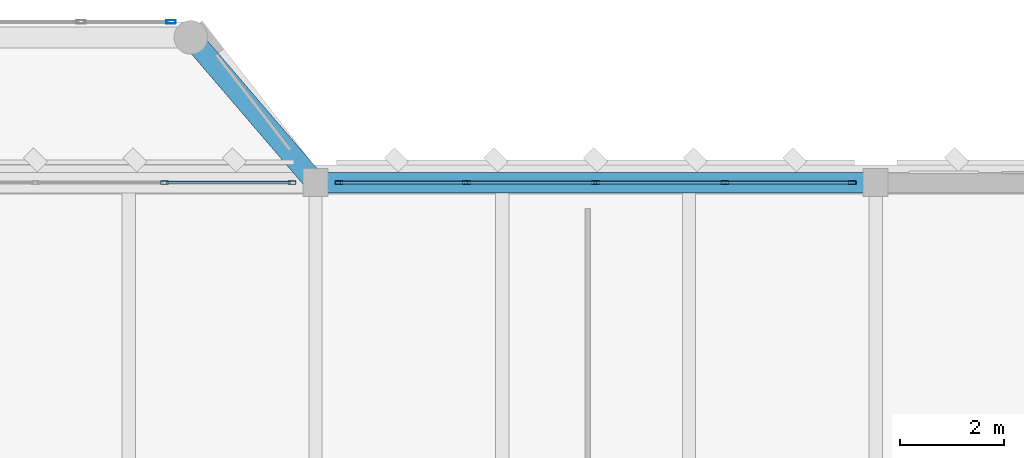
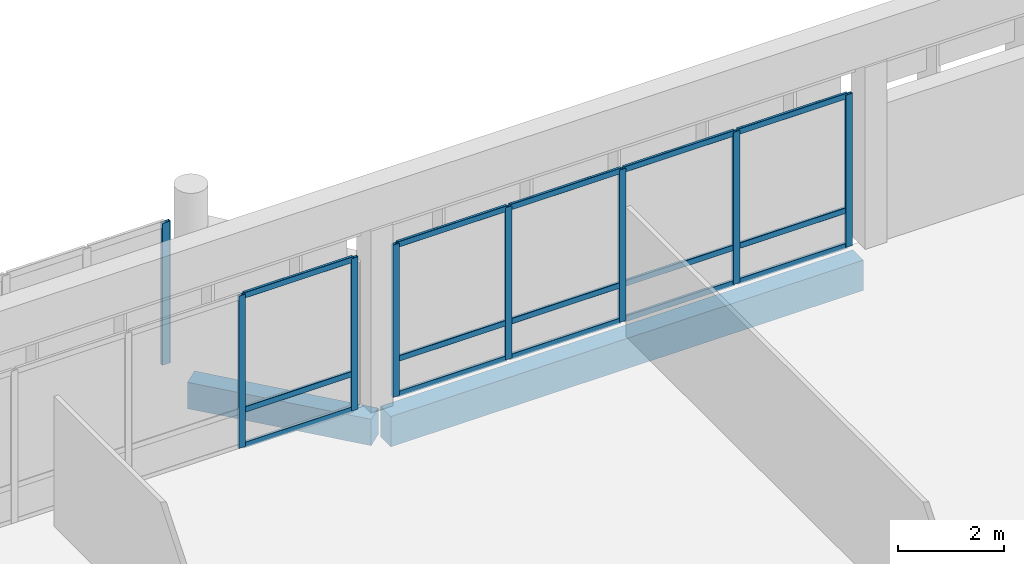
# One storey, part 17 of 33: 23 members, 2 beams, 3 elements without a shape of their own.
"""IFC4 building model written with IfcOpenShell, lengths in metres."""

from ifc_helpers import new_model, si_unit, direction, frame, origin, origin_2d, place, context, subcontext, project, spatial, rectangle, hollow_rectangle, extrude, material, material_profile, profile_set, type_object, element, aggregate, save


model = new_model("IFC4")

# Units and contexts
model_context = context("Model", 3, precision=1e-05, world=origin(), true_north=direction((0.0, 1.0)))
body_context = subcontext(model_context, "Body", "Model", "MODEL_VIEW")
ifc_project = project(units=[si_unit("LENGTHUNIT", "METRE"), si_unit("AREAUNIT", "SQUARE_METRE"), si_unit("VOLUMEUNIT", "CUBIC_METRE"), si_unit("PLANEANGLEUNIT", "RADIAN"), si_unit("MASSUNIT", "GRAM", prefix="KILO")], contexts=[model_context])

# Site, building, storey
site_placement = place(None, origin())
site = spatial("IfcSite", under=ifc_project, at=site_placement, CompositionType="ELEMENT")
building_placement = place(site_placement, origin())
building = spatial("IfcBuilding", under=site, at=building_placement, Name="Lusvemor Sports Hall", CompositionType="ELEMENT")
storey_placement = place(building_placement, frame((0.0, 0.0, 19.199951171875)))
storey = spatial("IfcBuildingStorey", under=building, at=storey_placement, Name="L04", CompositionType="ELEMENT", Elevation=19.199951171875)

# Curtain wall, member
ifc_material_1 = material(Name="Thermally broken bronze-anodized aluminium", Category="aluminium")
curtain_wall_type_1 = type_object("IfcCurtainWallType", Name="CW_FOYER_A", PredefinedType="NOTDEFINED", material=ifc_material_1)
curtain_wall_1_placement = place(storey_placement, origin())
curtain_wall_1 = element("IfcCurtainWall", 1, at=curtain_wall_1_placement, inside=storey, type_object=curtain_wall_type_1, Name="Curtain Wall CW-BOW-N1-L04-M", PredefinedType="NOTDEFINED")
ifc_material_2 = material(Name="Thermally broken bronze-anodized aluminium", Category="aluminium")
ifc_material_profile_1 = material_profile(ifc_material_2, hollow_rectangle(XDim=0.070068359375, YDim=0.179931640625, WallThickness=0.0048828125, InnerFilletRadius=0.0048828125, OuterFilletRadius=0.010009765625, at=origin_2d()), Name="CWMUL180x70x5")
ifc_profile_set_1 = profile_set([ifc_material_profile_1], Name="Thermally broken bronze-anodized aluminium")
member_type_1 = type_object("IfcMemberType", Name="CW_MUL_A", PredefinedType="MULLION", material=ifc_profile_set_1)
member_1_placement = place(storey_placement, frame((29.614990234375, 118.300048828125, 0.0), z_axis=(0.0, 0.0, 1.0), x_axis=(0.0, 1.0, 0.0)))
member_1 = element("IfcMember", 2, at=member_1_placement, type_object=member_type_1, Name="CW01 mullion 4", PredefinedType="MULLION", context=body_context, shape_type="SweptSolid", body=[
    extrude(hollow_rectangle(XDim=0.070068359375, YDim=0.179931640625, WallThickness=0.0048828125, InnerFilletRadius=0.0048828125, OuterFilletRadius=0.010009765625, at=origin_2d()), origin(), (0.0, 0.0, 1.0), 3.280029296875),
])
aggregate(curtain_wall_1, [member_1])

# Curtain wall, members
ifc_material_3 = material(Name="Thermally broken bronze-anodized aluminium", Category="aluminium")
curtain_wall_type_2 = type_object("IfcCurtainWallType", Name="CW_WING_B", PredefinedType="NOTDEFINED", material=ifc_material_3)
curtain_wall_2_placement = place(storey_placement, origin())
curtain_wall_2 = element("IfcCurtainWall", 3, at=curtain_wall_2_placement, inside=storey, type_object=curtain_wall_type_2, Name="Curtain Wall CW-L04-N-1-2", PredefinedType="NOTDEFINED")
ifc_material_4 = material(Name="Thermally broken bronze-anodized aluminium", Category="aluminium")
ifc_material_profile_2 = material_profile(ifc_material_4, hollow_rectangle(XDim=0.06494140625, YDim=0.14990234375, WallThickness=0.00390625, InnerFilletRadius=0.00390625, OuterFilletRadius=0.008056640625, at=origin_2d()), Name="CWMUL150x65x4")
ifc_profile_set_2 = profile_set([ifc_material_profile_2], Name="Thermally broken bronze-anodized aluminium")
member_type_2 = type_object("IfcMemberType", Name="CW_MUL_B", PredefinedType="MULLION", material=ifc_profile_set_2)
member_2_placement = place(storey_placement, frame((29.489990234375, 115.199951171875, 0.0), z_axis=(0.0, 0.0, 1.0), x_axis=(0.0, 1.0, 0.0)))
member_2 = element("IfcMember", 4, at=member_2_placement, type_object=member_type_2, Name="CW02 mullion 4", PredefinedType="MULLION", context=body_context, shape_type="SweptSolid", body=[
    extrude(hollow_rectangle(XDim=0.06494140625, YDim=0.14990234375, WallThickness=0.00390625, InnerFilletRadius=0.00390625, OuterFilletRadius=0.008056640625, at=origin_2d()), origin(), (0.0, 0.0, 1.0), 3.52001953125),
])
member_3_placement = place(storey_placement, frame((31.947509765625, 115.199951171875, 0.0), z_axis=(0.0, 0.0, 1.0), x_axis=(0.0, 1.0, 0.0)))
member_3 = element("IfcMember", 5, at=member_3_placement, type_object=member_type_2, Name="CW02 mullion 5", PredefinedType="MULLION", context=body_context, shape_type="SweptSolid", body=[
    extrude(hollow_rectangle(XDim=0.06494140625, YDim=0.14990234375, WallThickness=0.00390625, InnerFilletRadius=0.00390625, OuterFilletRadius=0.008056640625, at=origin_2d()), origin(), (0.0, 0.0, 1.0), 3.52001953125),
])

curtain_wall_3_placement = place(storey_placement, origin())
curtain_wall_3 = element("IfcCurtainWall", 6, at=curtain_wall_3_placement, inside=storey, type_object=curtain_wall_type_2, Name="Curtain Wall CW-L04-N-1-3", PredefinedType="NOTDEFINED")
member_4_placement = place(storey_placement, frame((32.8525390625, 115.199951171875, 0.0), z_axis=(0.0, 0.0, 1.0), x_axis=(0.0, 1.0, 0.0)))
member_4 = element("IfcMember", 7, at=member_4_placement, type_object=member_type_2, Name="CW02 mullion 1", PredefinedType="MULLION", context=body_context, shape_type="SweptSolid", body=[
    extrude(hollow_rectangle(XDim=0.06494140625, YDim=0.14990234375, WallThickness=0.00390625, InnerFilletRadius=0.00390625, OuterFilletRadius=0.008056640625, at=origin_2d()), origin(), (0.0, 0.0, 1.0), 3.52001953125),
])
member_5_placement = place(storey_placement, frame((35.31005859375, 115.199951171875, 0.0), z_axis=(0.0, 0.0, 1.0), x_axis=(0.0, 1.0, 0.0)))
member_5 = element("IfcMember", 8, at=member_5_placement, type_object=member_type_2, Name="CW02 mullion 2", PredefinedType="MULLION", context=body_context, shape_type="SweptSolid", body=[
    extrude(hollow_rectangle(XDim=0.06494140625, YDim=0.14990234375, WallThickness=0.00390625, InnerFilletRadius=0.00390625, OuterFilletRadius=0.008056640625, at=origin_2d()), origin(), (0.0, 0.0, 1.0), 3.52001953125),
])
member_6_placement = place(storey_placement, frame((37.800048828125, 115.199951171875, 0.0), z_axis=(0.0, 0.0, 1.0), x_axis=(0.0, 1.0, 0.0)))
member_6 = element("IfcMember", 9, at=member_6_placement, type_object=member_type_2, Name="CW02 mullion 3", PredefinedType="MULLION", context=body_context, shape_type="SweptSolid", body=[
    extrude(hollow_rectangle(XDim=0.06494140625, YDim=0.14990234375, WallThickness=0.00390625, InnerFilletRadius=0.00390625, OuterFilletRadius=0.008056640625, at=origin_2d()), origin(), (0.0, 0.0, 1.0), 3.52001953125),
])
member_7_placement = place(storey_placement, frame((40.2900390625, 115.199951171875, 0.0), z_axis=(0.0, 0.0, 1.0), x_axis=(0.0, 1.0, 0.0)))
member_7 = element("IfcMember", 10, at=member_7_placement, type_object=member_type_2, Name="CW02 mullion 4", PredefinedType="MULLION", context=body_context, shape_type="SweptSolid", body=[
    extrude(hollow_rectangle(XDim=0.06494140625, YDim=0.14990234375, WallThickness=0.00390625, InnerFilletRadius=0.00390625, OuterFilletRadius=0.008056640625, at=origin_2d()), origin(), (0.0, 0.0, 1.0), 3.52001953125),
])
member_8_placement = place(storey_placement, frame((42.74755859375, 115.199951171875, 0.0), z_axis=(0.0, 0.0, 1.0), x_axis=(0.0, 1.0, 0.0)))
member_8 = element("IfcMember", 11, at=member_8_placement, type_object=member_type_2, Name="CW02 mullion 5", PredefinedType="MULLION", context=body_context, shape_type="SweptSolid", body=[
    extrude(hollow_rectangle(XDim=0.06494140625, YDim=0.14990234375, WallThickness=0.00390625, InnerFilletRadius=0.00390625, OuterFilletRadius=0.008056640625, at=origin_2d()), origin(), (0.0, 0.0, 1.0), 3.52001953125),
])

# Member
ifc_material_5 = material(Name="Thermally broken bronze-anodized aluminium", Category="aluminium")
ifc_material_profile_3 = material_profile(ifc_material_5, hollow_rectangle(XDim=0.06005859375, YDim=0.135009765625, WallThickness=0.00390625, InnerFilletRadius=0.00390625, OuterFilletRadius=0.008056640625, at=origin_2d()), Name="CWTRN135x60x4")
ifc_profile_set_3 = profile_set([ifc_material_profile_3], Name="Thermally broken bronze-anodized aluminium")
member_type_3 = type_object("IfcMemberType", Name="CW_TRN_B", PredefinedType="USERDEFINED", material=ifc_profile_set_3)
member_9_placement = place(storey_placement, frame((29.5224609375, 115.199951171875, 0.030029296875), z_axis=(1.0, 0.0, 0.0), x_axis=(0.0, 1.0, 0.0)))
member_9 = element("IfcMember", 12, at=member_9_placement, type_object=member_type_3, Name="CW02 transom 4.1", ObjectType="TRANSOM", PredefinedType="USERDEFINED", context=body_context, shape_type="SweptSolid", body=[
    extrude(hollow_rectangle(XDim=0.06005859375, YDim=0.135009765625, WallThickness=0.00390625, InnerFilletRadius=0.00390625, OuterFilletRadius=0.008056640625, at=origin_2d()), origin(), (0.0, 0.0, 1.0), 2.392578125),
])

member_10_placement = place(storey_placement, frame((29.5224609375, 115.199951171875, 0.85009765625), z_axis=(1.0, 0.0, 0.0), x_axis=(0.0, 1.0, 0.0)))
member_10 = element("IfcMember", 13, at=member_10_placement, type_object=member_type_3, Name="CW02 transom 4.2", ObjectType="TRANSOM", PredefinedType="USERDEFINED", context=body_context, shape_type="SweptSolid", body=[
    extrude(hollow_rectangle(XDim=0.06005859375, YDim=0.135009765625, WallThickness=0.00390625, InnerFilletRadius=0.00390625, OuterFilletRadius=0.008056640625, at=origin_2d()), origin(), (0.0, 0.0, 1.0), 2.392578125),
])

member_11_placement = place(storey_placement, frame((29.5224609375, 115.199951171875, 3.489990234375), z_axis=(1.0, 0.0, 0.0), x_axis=(0.0, 1.0, 0.0)))
member_11 = element("IfcMember", 14, at=member_11_placement, type_object=member_type_3, Name="CW02 transom 4.3", ObjectType="TRANSOM", PredefinedType="USERDEFINED", context=body_context, shape_type="SweptSolid", body=[
    extrude(hollow_rectangle(XDim=0.06005859375, YDim=0.135009765625, WallThickness=0.00390625, InnerFilletRadius=0.00390625, OuterFilletRadius=0.008056640625, at=origin_2d()), origin(), (0.0, 0.0, 1.0), 2.392578125),
])

aggregate(curtain_wall_2, [member_2, member_3, member_9, member_10, member_11])

member_12_placement = place(storey_placement, frame((32.885009765625, 115.199951171875, 0.030029296875), z_axis=(1.0, 0.0, 0.0), x_axis=(0.0, 1.0, 0.0)))
member_12 = element("IfcMember", 15, at=member_12_placement, type_object=member_type_3, Name="CW02 transom 1.1", ObjectType="TRANSOM", PredefinedType="USERDEFINED", context=body_context, shape_type="SweptSolid", body=[
    extrude(hollow_rectangle(XDim=0.06005859375, YDim=0.135009765625, WallThickness=0.00390625, InnerFilletRadius=0.00390625, OuterFilletRadius=0.008056640625, at=origin_2d()), origin(), (0.0, 0.0, 1.0), 2.392578125),
])

member_13_placement = place(storey_placement, frame((32.885009765625, 115.199951171875, 0.85009765625), z_axis=(1.0, 0.0, 0.0), x_axis=(0.0, 1.0, 0.0)))
member_13 = element("IfcMember", 16, at=member_13_placement, type_object=member_type_3, Name="CW02 transom 1.2", ObjectType="TRANSOM", PredefinedType="USERDEFINED", context=body_context, shape_type="SweptSolid", body=[
    extrude(hollow_rectangle(XDim=0.06005859375, YDim=0.135009765625, WallThickness=0.00390625, InnerFilletRadius=0.00390625, OuterFilletRadius=0.008056640625, at=origin_2d()), origin(), (0.0, 0.0, 1.0), 2.392578125),
])

member_14_placement = place(storey_placement, frame((32.885009765625, 115.199951171875, 3.489990234375), z_axis=(1.0, 0.0, 0.0), x_axis=(0.0, 1.0, 0.0)))
member_14 = element("IfcMember", 17, at=member_14_placement, type_object=member_type_3, Name="CW02 transom 1.3", ObjectType="TRANSOM", PredefinedType="USERDEFINED", context=body_context, shape_type="SweptSolid", body=[
    extrude(hollow_rectangle(XDim=0.06005859375, YDim=0.135009765625, WallThickness=0.00390625, InnerFilletRadius=0.00390625, OuterFilletRadius=0.008056640625, at=origin_2d()), origin(), (0.0, 0.0, 1.0), 2.392578125),
])

member_15_placement = place(storey_placement, frame((35.342529296875, 115.199951171875, 0.030029296875), z_axis=(1.0, 0.0, 0.0), x_axis=(0.0, 1.0, 0.0)))
member_15 = element("IfcMember", 18, at=member_15_placement, type_object=member_type_3, Name="CW02 transom 2.1", ObjectType="TRANSOM", PredefinedType="USERDEFINED", context=body_context, shape_type="SweptSolid", body=[
    extrude(hollow_rectangle(XDim=0.06005859375, YDim=0.135009765625, WallThickness=0.00390625, InnerFilletRadius=0.00390625, OuterFilletRadius=0.008056640625, at=origin_2d()), origin(), (0.0, 0.0, 1.0), 2.425048828125),
])

member_16_placement = place(storey_placement, frame((35.342529296875, 115.199951171875, 0.85009765625), z_axis=(1.0, 0.0, 0.0), x_axis=(0.0, 1.0, 0.0)))
member_16 = element("IfcMember", 19, at=member_16_placement, type_object=member_type_3, Name="CW02 transom 2.2", ObjectType="TRANSOM", PredefinedType="USERDEFINED", context=body_context, shape_type="SweptSolid", body=[
    extrude(hollow_rectangle(XDim=0.06005859375, YDim=0.135009765625, WallThickness=0.00390625, InnerFilletRadius=0.00390625, OuterFilletRadius=0.008056640625, at=origin_2d()), origin(), (0.0, 0.0, 1.0), 2.425048828125),
])

member_17_placement = place(storey_placement, frame((35.342529296875, 115.199951171875, 3.489990234375), z_axis=(1.0, 0.0, 0.0), x_axis=(0.0, 1.0, 0.0)))
member_17 = element("IfcMember", 20, at=member_17_placement, type_object=member_type_3, Name="CW02 transom 2.3", ObjectType="TRANSOM", PredefinedType="USERDEFINED", context=body_context, shape_type="SweptSolid", body=[
    extrude(hollow_rectangle(XDim=0.06005859375, YDim=0.135009765625, WallThickness=0.00390625, InnerFilletRadius=0.00390625, OuterFilletRadius=0.008056640625, at=origin_2d()), origin(), (0.0, 0.0, 1.0), 2.425048828125),
])

member_18_placement = place(storey_placement, frame((37.83251953125, 115.199951171875, 0.030029296875), z_axis=(1.0, 0.0, 0.0), x_axis=(0.0, 1.0, 0.0)))
member_18 = element("IfcMember", 21, at=member_18_placement, type_object=member_type_3, Name="CW02 transom 3.1", ObjectType="TRANSOM", PredefinedType="USERDEFINED", context=body_context, shape_type="SweptSolid", body=[
    extrude(hollow_rectangle(XDim=0.06005859375, YDim=0.135009765625, WallThickness=0.00390625, InnerFilletRadius=0.00390625, OuterFilletRadius=0.008056640625, at=origin_2d()), origin(), (0.0, 0.0, 1.0), 2.425048828125),
])

member_19_placement = place(storey_placement, frame((37.83251953125, 115.199951171875, 0.85009765625), z_axis=(1.0, 0.0, 0.0), x_axis=(0.0, 1.0, 0.0)))
member_19 = element("IfcMember", 22, at=member_19_placement, type_object=member_type_3, Name="CW02 transom 3.2", ObjectType="TRANSOM", PredefinedType="USERDEFINED", context=body_context, shape_type="SweptSolid", body=[
    extrude(hollow_rectangle(XDim=0.06005859375, YDim=0.135009765625, WallThickness=0.00390625, InnerFilletRadius=0.00390625, OuterFilletRadius=0.008056640625, at=origin_2d()), origin(), (0.0, 0.0, 1.0), 2.425048828125),
])

member_20_placement = place(storey_placement, frame((37.83251953125, 115.199951171875, 3.489990234375), z_axis=(1.0, 0.0, 0.0), x_axis=(0.0, 1.0, 0.0)))
member_20 = element("IfcMember", 23, at=member_20_placement, type_object=member_type_3, Name="CW02 transom 3.3", ObjectType="TRANSOM", PredefinedType="USERDEFINED", context=body_context, shape_type="SweptSolid", body=[
    extrude(hollow_rectangle(XDim=0.06005859375, YDim=0.135009765625, WallThickness=0.00390625, InnerFilletRadius=0.00390625, OuterFilletRadius=0.008056640625, at=origin_2d()), origin(), (0.0, 0.0, 1.0), 2.425048828125),
])

member_21_placement = place(storey_placement, frame((40.322509765625, 115.199951171875, 0.030029296875), z_axis=(1.0, 0.0, 0.0), x_axis=(0.0, 1.0, 0.0)))
member_21 = element("IfcMember", 24, at=member_21_placement, type_object=member_type_3, Name="CW02 transom 4.1", ObjectType="TRANSOM", PredefinedType="USERDEFINED", context=body_context, shape_type="SweptSolid", body=[
    extrude(hollow_rectangle(XDim=0.06005859375, YDim=0.135009765625, WallThickness=0.00390625, InnerFilletRadius=0.00390625, OuterFilletRadius=0.008056640625, at=origin_2d()), origin(), (0.0, 0.0, 1.0), 2.392578125),
])

member_22_placement = place(storey_placement, frame((40.322509765625, 115.199951171875, 0.85009765625), z_axis=(1.0, 0.0, 0.0), x_axis=(0.0, 1.0, 0.0)))
member_22 = element("IfcMember", 25, at=member_22_placement, type_object=member_type_3, Name="CW02 transom 4.2", ObjectType="TRANSOM", PredefinedType="USERDEFINED", context=body_context, shape_type="SweptSolid", body=[
    extrude(hollow_rectangle(XDim=0.06005859375, YDim=0.135009765625, WallThickness=0.00390625, InnerFilletRadius=0.00390625, OuterFilletRadius=0.008056640625, at=origin_2d()), origin(), (0.0, 0.0, 1.0), 2.392578125),
])

member_23_placement = place(storey_placement, frame((40.322509765625, 115.199951171875, 3.489990234375), z_axis=(1.0, 0.0, 0.0), x_axis=(0.0, 1.0, 0.0)))
member_23 = element("IfcMember", 26, at=member_23_placement, type_object=member_type_3, Name="CW02 transom 4.3", ObjectType="TRANSOM", PredefinedType="USERDEFINED", context=body_context, shape_type="SweptSolid", body=[
    extrude(hollow_rectangle(XDim=0.06005859375, YDim=0.135009765625, WallThickness=0.00390625, InnerFilletRadius=0.00390625, OuterFilletRadius=0.008056640625, at=origin_2d()), origin(), (0.0, 0.0, 1.0), 2.392578125),
])

aggregate(curtain_wall_3, [member_4, member_5, member_6, member_7, member_8, member_12, member_13, member_14, member_15, member_16, member_17, member_18, member_19, member_20, member_21, member_22, member_23])

# Beams
ifc_material_6 = material(Name="Concrete C40/50", Category="concrete")
ifc_material_profile_4 = material_profile(ifc_material_6, rectangle(XDim=0.39990234375, YDim=0.610107421875, at=origin_2d()), Name="RC400x610")
ifc_profile_set_4 = profile_set([ifc_material_profile_4], Name="Concrete C40/50")
beam_type_1 = type_object("IfcBeamType", Name="SPAND_EXT_650", PredefinedType="SPANDREL", material=ifc_profile_set_4)
beam_1_placement = place(storey_placement, frame((30.0, 118.0, -0.56494140625), z_axis=(0.650769565339, -0.759275294494, 0.0), x_axis=(0.759275294494, 0.650769565339, 0.0)))
element("IfcBeam", 27, at=beam_1_placement, inside=storey, type_object=beam_type_1, Name="Bow Pavilion Edge Beam BOW-N1 L04-3", PredefinedType="SPANDREL", context=body_context, shape_type="SweptSolid", body=[
    extrude(rectangle(XDim=0.39990234375, YDim=0.610107421875, at=origin_2d()), origin(), (0.0, 0.0, 1.0), 3.687744140625),
])
ifc_material_7 = material(Name="Concrete C40/50", Category="concrete")
ifc_material_profile_5 = material_profile(ifc_material_7, rectangle(XDim=0.39990234375, YDim=0.699951171875, at=origin_2d()), Name="RC400x700")
ifc_profile_set_5 = profile_set([ifc_material_profile_5], Name="Concrete C40/50")
beam_type_2 = type_object("IfcBeamType", Name="SPAND_EXT_700", PredefinedType="SPANDREL", material=ifc_profile_set_5)
beam_2_placement = place(storey_placement, frame((32.635986328125, 115.199951171875, -0.639892578125), z_axis=(1.0, 0.0, 0.0), x_axis=(0.0, 1.0, 0.0)))
element("IfcBeam", 28, at=beam_2_placement, inside=storey, type_object=beam_type_2, Name="Beam L04 Q:4-5", PredefinedType="SPANDREL", context=body_context, shape_type="SweptSolid", body=[
    extrude(rectangle(XDim=0.39990234375, YDim=0.699951171875, at=origin_2d()), origin(), (0.0, 0.0, 1.0), 10.328125),
])

save(model, "model.ifc")
